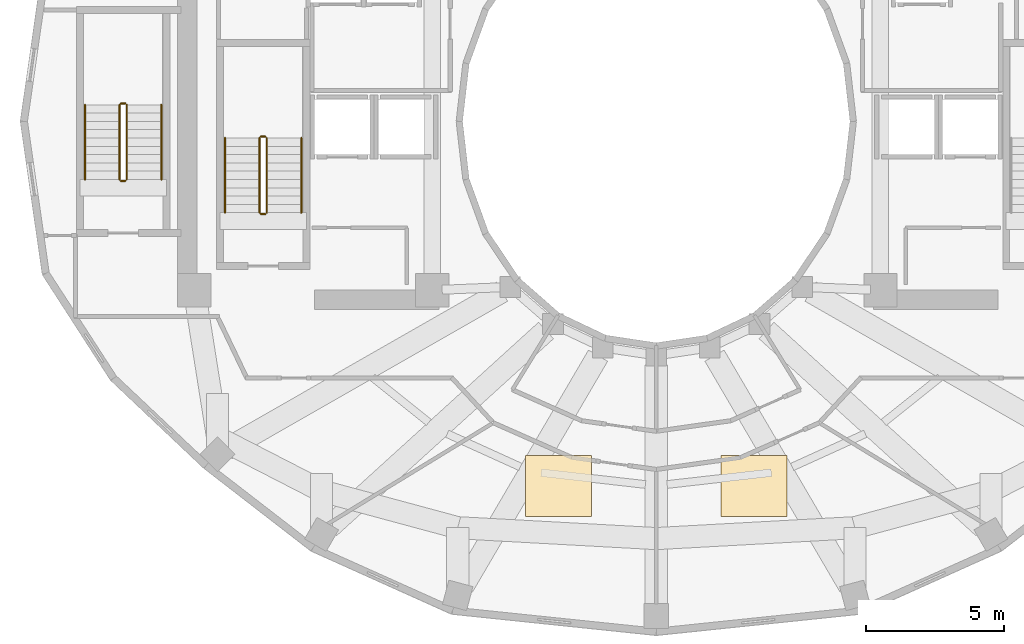
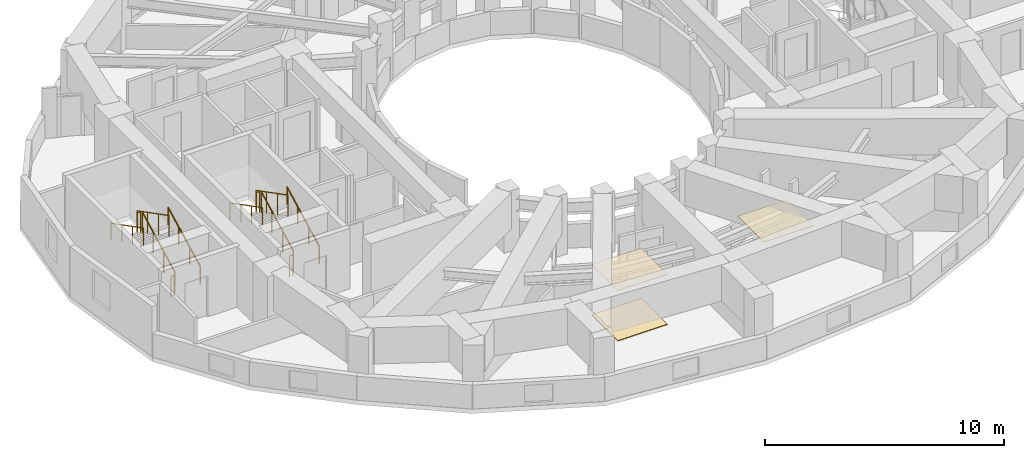
# One storey, part 11 of 13: 12 railings, 3 coverings.
"""IFC4 building model written with IfcOpenShell, lengths in metres."""

from ifc_helpers import new_model, si_unit, direction, frame, origin, origin_2d, place, context, subcontext, project, spatial, polyline, circle, outline, extrude, material, layer, layer_set, type_object, element, save


model = new_model("IFC4")

# Units and contexts
model_context = context("Model", 3, precision=1e-05, world=origin(), true_north=direction((0.0, 1.0)))
body_context = subcontext(model_context, "Body", "Model", "MODEL_VIEW")
ifc_project = project(units=[si_unit("LENGTHUNIT", "METRE"), si_unit("AREAUNIT", "SQUARE_METRE"), si_unit("VOLUMEUNIT", "CUBIC_METRE"), si_unit("PLANEANGLEUNIT", "RADIAN"), si_unit("MASSUNIT", "GRAM", prefix="KILO")], contexts=[model_context])

# Site, building, storey
site_placement = place(None, origin())
site = spatial("IfcSite", under=ifc_project, at=site_placement, CompositionType="ELEMENT")
building_placement = place(site_placement, origin())
building = spatial("IfcBuilding", under=site, at=building_placement, Name="Solvane Sanctuary Tower", CompositionType="ELEMENT")
storey_placement = place(building_placement, frame((0.0, 0.0, 149.800048828125)))
storey = spatial("IfcBuildingStorey", under=building, at=storey_placement, Name="L45", CompositionType="ELEMENT", Elevation=149.800048828125)

# Coverings
ifc_material_1 = material(Name="Acoustic Gypsum Partition Board")
ifc_layer_1 = layer(ifc_material_1, 0.02490234375, Name="Acoustic Gypsum Partition Board")
ifc_layer_set_1 = layer_set([ifc_layer_1], Name="Acoustic Gypsum Partition Board")
covering_type_1 = type_object("IfcCoveringType", Name="Covering CLG-ACOUST", PredefinedType="CEILING", material=ifc_layer_set_1)
covering_1_placement = place(storey_placement, frame((0.0, 0.0, 2.570068359375)))
element("IfcCovering", 1, at=covering_1_placement, inside=storey, type_object=covering_type_1, Name="L45 Unit Acoustic Ceiling Panel 4", PredefinedType="CEILING", context=body_context, shape_type="SweptSolid", body=[
    extrude(outline(polyline([(27.26708984375, 8.715087890625), (29.6669921875, 8.715087890625), (29.6669921875, 10.9150390625), (27.26708984375, 10.9150390625), (27.26708984375, 8.715087890625)])), origin(), (0.0, 0.0, 1.0), 0.02978515625),
])
covering_2_placement = place(storey_placement, frame((0.0, 0.0, 2.570068359375)))
element("IfcCovering", 2, at=covering_2_placement, inside=storey, type_object=covering_type_1, Name="L45 Unit Acoustic Ceiling Panel 5", PredefinedType="CEILING", context=body_context, shape_type="SweptSolid", body=[
    extrude(outline(polyline([(34.3330078125, 8.715087890625), (36.73291015625, 8.715087890625), (36.73291015625, 10.9150390625), (34.3330078125, 10.9150390625), (34.3330078125, 8.715087890625)])), origin(), (0.0, 0.0, 1.0), 0.02978515625),
])
ifc_material_2 = material(Name="Ceramic Tile Finish")
ifc_layer_2 = layer(ifc_material_2, 0.030029296875, Name="Ceramic Tile Finish")
ifc_layer_set_2 = layer_set([ifc_layer_2], Name="Ceramic Tile Finish")
covering_type_2 = type_object("IfcCoveringType", Name="Covering FLR-TERRAZZO", PredefinedType="FLOORING", material=ifc_layer_set_2)
covering_3_placement = place(storey_placement, origin())
element("IfcCovering", 3, at=covering_3_placement, inside=storey, type_object=covering_type_2, Name="L45 Unit Terrazzo Inlay 4", PredefinedType="FLOORING", context=body_context, shape_type="SweptSolid", body=[
    extrude(outline(polyline([(27.26708984375, 8.715087890625), (29.6669921875, 8.715087890625), (29.6669921875, 10.9150390625), (27.26708984375, 10.9150390625), (27.26708984375, 8.715087890625)])), origin(), (0.0, 0.0, 1.0), 0.034912109375),
])

# Railings
ifc_material_3 = material(Name="Architectural Stainless Steel 316", Category="steel")
railing_type_1 = type_object("IfcRailingType", Name="Railing GR-BALC-1150", PredefinedType="BALUSTRADE", material=ifc_material_3)
railing_1_placement = place(storey_placement, frame((17.919921875, 19.699951171875, 0.155029296875)))
element("IfcRailing", 4, at=railing_1_placement, inside=storey, type_object=railing_type_1, Name="L45 ST-1 stair guard 1", PredefinedType="BALUSTRADE", context=body_context, shape_type="SweptSolid", body=[
    extrude(circle(Radius=0.02392578125, at=origin_2d()), frame((0.0, 0.0, 1.076171875), z_axis=(0.0, 0.888419900624, 0.459031676658), x_axis=(-1.0, 0.0, 0.0)), (0.0, 0.0, 1.0), 3.0390625),
    extrude(circle(Radius=0.02099609375, at=origin_2d()), origin(), (0.0, 0.0, 1.0), 1.052001953125),
    extrude(circle(Radius=0.02099609375, at=origin_2d()), frame((0.0, 0.89990234375, 0.465087890625)), (0.0, 0.0, 1.0), 1.052001953125),
    extrude(circle(Radius=0.02099609375, at=origin_2d()), frame((0.0, 1.800048828125, 0.929931640625)), (0.0, 0.0, 1.0), 1.052001953125),
    extrude(circle(Radius=0.02099609375, at=origin_2d()), frame((0.0, 2.699951171875, 1.39501953125)), (0.0, 0.0, 1.0), 1.052001953125),
])
railing_2_placement = place(storey_placement, frame((17.8701171875, 22.449951171875, 1.550048828125)))
element("IfcRailing", 5, at=railing_2_placement, inside=storey, type_object=railing_type_1, Name="L45 ST-1 stair guard 2", PredefinedType="BALUSTRADE", context=body_context, shape_type="SweptSolid", body=[
    extrude(circle(Radius=0.02392578125, at=origin_2d()), frame((0.0, 0.0, 1.076171875), z_axis=(-1.0, 0.0, 0.0), x_axis=(0.0, -1.0, 0.0)), (0.0, 0.0, 1.0), 0.16015625),
    extrude(circle(Radius=0.02099609375, at=origin_2d()), origin(), (0.0, 0.0, 1.0), 1.052001953125),
    extrude(circle(Radius=0.02099609375, at=origin_2d()), frame((-0.16015625, 0.0, 0.0)), (0.0, 0.0, 1.0), 1.052001953125),
])
railing_3_placement = place(storey_placement, frame((17.659912109375, 22.39990234375, 1.704833984375)))
element("IfcRailing", 6, at=railing_3_placement, inside=storey, type_object=railing_type_1, Name="L45 ST-1 stair guard 3", PredefinedType="BALUSTRADE", context=body_context, shape_type="SweptSolid", body=[
    extrude(circle(Radius=0.02392578125, at=origin_2d()), frame((0.0, 0.0, 1.076171875), z_axis=(0.0, -0.888419900624, 0.459031676658), x_axis=(1.0, 0.0, 0.0)), (0.0, 0.0, 1.0), 3.0390625),
    extrude(circle(Radius=0.02099609375, at=origin_2d()), origin(), (0.0, 0.0, 1.0), 1.052001953125),
    extrude(circle(Radius=0.02099609375, at=origin_2d()), frame((0.0, -0.89990234375, 0.465087890625)), (0.0, 0.0, 1.0), 1.052001953125),
    extrude(circle(Radius=0.02099609375, at=origin_2d()), frame((0.0, -1.800048828125, 0.929931640625)), (0.0, 0.0, 1.0), 1.052001953125),
    extrude(circle(Radius=0.02099609375, at=origin_2d()), frame((0.0, -2.699951171875, 1.39501953125)), (0.0, 0.0, 1.0), 1.052001953125),
])
railing_4_placement = place(storey_placement, frame((17.8701171875, 19.64990234375, 0.0)))
element("IfcRailing", 7, at=railing_4_placement, inside=storey, type_object=railing_type_1, Name="L45 ST-1 stair guard 4", PredefinedType="BALUSTRADE", context=body_context, shape_type="SweptSolid", body=[
    extrude(circle(Radius=0.02392578125, at=origin_2d()), frame((0.0, 0.0, 1.076171875), z_axis=(-1.0, 0.0, 0.0), x_axis=(0.0, -1.0, 0.0)), (0.0, 0.0, 1.0), 0.16015625),
    extrude(circle(Radius=0.02099609375, at=origin_2d()), origin(), (0.0, 0.0, 1.0), 1.052001953125),
    extrude(circle(Radius=0.02099609375, at=origin_2d()), frame((-0.16015625, 0.0, 0.0)), (0.0, 0.0, 1.0), 1.052001953125),
])
railing_5_placement = place(storey_placement, frame((12.860107421875, 20.89990234375, 0.155029296875)))
element("IfcRailing", 8, at=railing_5_placement, inside=storey, type_object=railing_type_1, Name="L45 ST-3 stair guard 1", PredefinedType="BALUSTRADE", context=body_context, shape_type="SweptSolid", body=[
    extrude(circle(Radius=0.02392578125, at=origin_2d()), frame((0.0, 0.0, 1.076171875), z_axis=(0.0, 0.888436826113, 0.458998917216), x_axis=(-1.0, 0.0, 0.0)), (0.0, 0.0, 1.0), 3.039306640625),
    extrude(circle(Radius=0.02099609375, at=origin_2d()), origin(), (0.0, 0.0, 1.0), 1.052001953125),
    extrude(circle(Radius=0.02099609375, at=origin_2d()), frame((0.0, 0.900146484375, 0.465087890625)), (0.0, 0.0, 1.0), 1.052001953125),
    extrude(circle(Radius=0.02099609375, at=origin_2d()), frame((0.0, 1.800048828125, 0.929931640625)), (0.0, 0.0, 1.0), 1.052001953125),
    extrude(circle(Radius=0.02099609375, at=origin_2d()), frame((0.0, 2.7001953125, 1.39501953125)), (0.0, 0.0, 1.0), 1.052001953125),
])
railing_6_placement = place(storey_placement, frame((12.81005859375, 23.64990234375, 1.550048828125)))
element("IfcRailing", 9, at=railing_6_placement, inside=storey, type_object=railing_type_1, Name="L45 ST-3 stair guard 2", PredefinedType="BALUSTRADE", context=body_context, shape_type="SweptSolid", body=[
    extrude(circle(Radius=0.02392578125, at=origin_2d()), frame((0.0, 0.0, 1.076171875), z_axis=(-1.0, 0.0, 0.0), x_axis=(0.0, -1.0, 0.0)), (0.0, 0.0, 1.0), 0.16015625),
    extrude(circle(Radius=0.02099609375, at=origin_2d()), origin(), (0.0, 0.0, 1.0), 1.052001953125),
    extrude(circle(Radius=0.02099609375, at=origin_2d()), frame((-0.16015625, 0.0, 0.0)), (0.0, 0.0, 1.0), 1.052001953125),
])
railing_7_placement = place(storey_placement, frame((12.60009765625, 23.60009765625, 1.704833984375)))
element("IfcRailing", 10, at=railing_7_placement, inside=storey, type_object=railing_type_1, Name="L45 ST-3 stair guard 3", PredefinedType="BALUSTRADE", context=body_context, shape_type="SweptSolid", body=[
    extrude(circle(Radius=0.02392578125, at=origin_2d()), frame((0.0, 0.0, 1.076171875), z_axis=(0.0, -0.888436826113, 0.458998917216), x_axis=(1.0, 0.0, 0.0)), (0.0, 0.0, 1.0), 3.039306640625),
    extrude(circle(Radius=0.02099609375, at=origin_2d()), origin(), (0.0, 0.0, 1.0), 1.052001953125),
    extrude(circle(Radius=0.02099609375, at=origin_2d()), frame((0.0, -0.900146484375, 0.465087890625)), (0.0, 0.0, 1.0), 1.052001953125),
    extrude(circle(Radius=0.02099609375, at=origin_2d()), frame((0.0, -1.800048828125, 0.929931640625)), (0.0, 0.0, 1.0), 1.052001953125),
    extrude(circle(Radius=0.02099609375, at=origin_2d()), frame((0.0, -2.7001953125, 1.39501953125)), (0.0, 0.0, 1.0), 1.052001953125),
])
railing_8_placement = place(storey_placement, frame((12.81005859375, 20.85009765625, 0.0)))
element("IfcRailing", 11, at=railing_8_placement, inside=storey, type_object=railing_type_1, Name="L45 ST-3 stair guard 4", PredefinedType="BALUSTRADE", context=body_context, shape_type="SweptSolid", body=[
    extrude(circle(Radius=0.02392578125, at=origin_2d()), frame((0.0, 0.0, 1.076171875), z_axis=(-1.0, 0.0, 0.0), x_axis=(0.0, -1.0, 0.0)), (0.0, 0.0, 1.0), 0.16015625),
    extrude(circle(Radius=0.02099609375, at=origin_2d()), origin(), (0.0, 0.0, 1.0), 1.052001953125),
    extrude(circle(Radius=0.02099609375, at=origin_2d()), frame((-0.16015625, 0.0, 0.0)), (0.0, 0.0, 1.0), 1.052001953125),
])
railing_type_2 = type_object("IfcRailingType", Name="Railing HR-STAIR-920", PredefinedType="HANDRAIL", material=ifc_material_3)
railing_9_placement = place(storey_placement, frame((19.169921875, 19.699951171875, 0.155029296875)))
element("IfcRailing", 12, at=railing_9_placement, inside=storey, type_object=railing_type_2, Name="L45 ST-1 stair handrail 1", PredefinedType="HANDRAIL", context=body_context, shape_type="SweptSolid", body=[
    extrude(circle(Radius=0.02392578125, at=origin_2d()), frame((0.0, 0.0, 0.8759765625), z_axis=(0.0, 0.888419900624, 0.459031676658), x_axis=(-1.0, 0.0, 0.0)), (0.0, 0.0, 1.0), 3.0390625),
    extrude(circle(Radius=0.02099609375, at=origin_2d()), origin(), (0.0, 0.0, 1.0), 0.851806640625),
    extrude(circle(Radius=0.02099609375, at=origin_2d()), frame((0.0, 0.89990234375, 0.465087890625)), (0.0, 0.0, 1.0), 0.851806640625),
    extrude(circle(Radius=0.02099609375, at=origin_2d()), frame((0.0, 1.800048828125, 0.929931640625)), (0.0, 0.0, 1.0), 0.851806640625),
    extrude(circle(Radius=0.02099609375, at=origin_2d()), frame((0.0, 2.699951171875, 1.39501953125)), (0.0, 0.0, 1.0), 0.851806640625),
])
railing_10_placement = place(storey_placement, frame((16.409912109375, 22.39990234375, 1.704833984375)))
element("IfcRailing", 13, at=railing_10_placement, inside=storey, type_object=railing_type_2, Name="L45 ST-1 stair handrail 2", PredefinedType="HANDRAIL", context=body_context, shape_type="SweptSolid", body=[
    extrude(circle(Radius=0.02392578125, at=origin_2d()), frame((0.0, 0.0, 0.8759765625), z_axis=(0.0, -0.888419900624, 0.459031676658), x_axis=(1.0, 0.0, 0.0)), (0.0, 0.0, 1.0), 3.0390625),
    extrude(circle(Radius=0.02099609375, at=origin_2d()), origin(), (0.0, 0.0, 1.0), 0.851806640625),
    extrude(circle(Radius=0.02099609375, at=origin_2d()), frame((0.0, -0.89990234375, 0.465087890625)), (0.0, 0.0, 1.0), 0.851806640625),
    extrude(circle(Radius=0.02099609375, at=origin_2d()), frame((0.0, -1.800048828125, 0.929931640625)), (0.0, 0.0, 1.0), 0.851806640625),
    extrude(circle(Radius=0.02099609375, at=origin_2d()), frame((0.0, -2.699951171875, 1.39501953125)), (0.0, 0.0, 1.0), 0.851806640625),
])
railing_11_placement = place(storey_placement, frame((14.110107421875, 20.89990234375, 0.155029296875)))
element("IfcRailing", 14, at=railing_11_placement, inside=storey, type_object=railing_type_2, Name="L45 ST-3 stair handrail 1", PredefinedType="HANDRAIL", context=body_context, shape_type="SweptSolid", body=[
    extrude(circle(Radius=0.02392578125, at=origin_2d()), frame((0.0, 0.0, 0.8759765625), z_axis=(0.0, 0.888436826113, 0.458998917216), x_axis=(-1.0, 0.0, 0.0)), (0.0, 0.0, 1.0), 3.039306640625),
    extrude(circle(Radius=0.02099609375, at=origin_2d()), origin(), (0.0, 0.0, 1.0), 0.851806640625),
    extrude(circle(Radius=0.02099609375, at=origin_2d()), frame((0.0, 0.900146484375, 0.465087890625)), (0.0, 0.0, 1.0), 0.851806640625),
    extrude(circle(Radius=0.02099609375, at=origin_2d()), frame((0.0, 1.800048828125, 0.929931640625)), (0.0, 0.0, 1.0), 0.851806640625),
    extrude(circle(Radius=0.02099609375, at=origin_2d()), frame((0.0, 2.7001953125, 1.39501953125)), (0.0, 0.0, 1.0), 0.851806640625),
])
railing_12_placement = place(storey_placement, frame((11.35009765625, 23.60009765625, 1.704833984375)))
element("IfcRailing", 15, at=railing_12_placement, inside=storey, type_object=railing_type_2, Name="L45 ST-3 stair handrail 2", PredefinedType="HANDRAIL", context=body_context, shape_type="SweptSolid", body=[
    extrude(circle(Radius=0.02392578125, at=origin_2d()), frame((0.0, 0.0, 0.8759765625), z_axis=(0.0, -0.888436826113, 0.458998917216), x_axis=(1.0, 0.0, 0.0)), (0.0, 0.0, 1.0), 3.039306640625),
    extrude(circle(Radius=0.02099609375, at=origin_2d()), origin(), (0.0, 0.0, 1.0), 0.851806640625),
    extrude(circle(Radius=0.02099609375, at=origin_2d()), frame((0.0, -0.900146484375, 0.465087890625)), (0.0, 0.0, 1.0), 0.851806640625),
    extrude(circle(Radius=0.02099609375, at=origin_2d()), frame((0.0, -1.800048828125, 0.929931640625)), (0.0, 0.0, 1.0), 0.851806640625),
    extrude(circle(Radius=0.02099609375, at=origin_2d()), frame((0.0, -2.7001953125, 1.39501953125)), (0.0, 0.0, 1.0), 0.851806640625),
])

save(model, "model.ifc")
